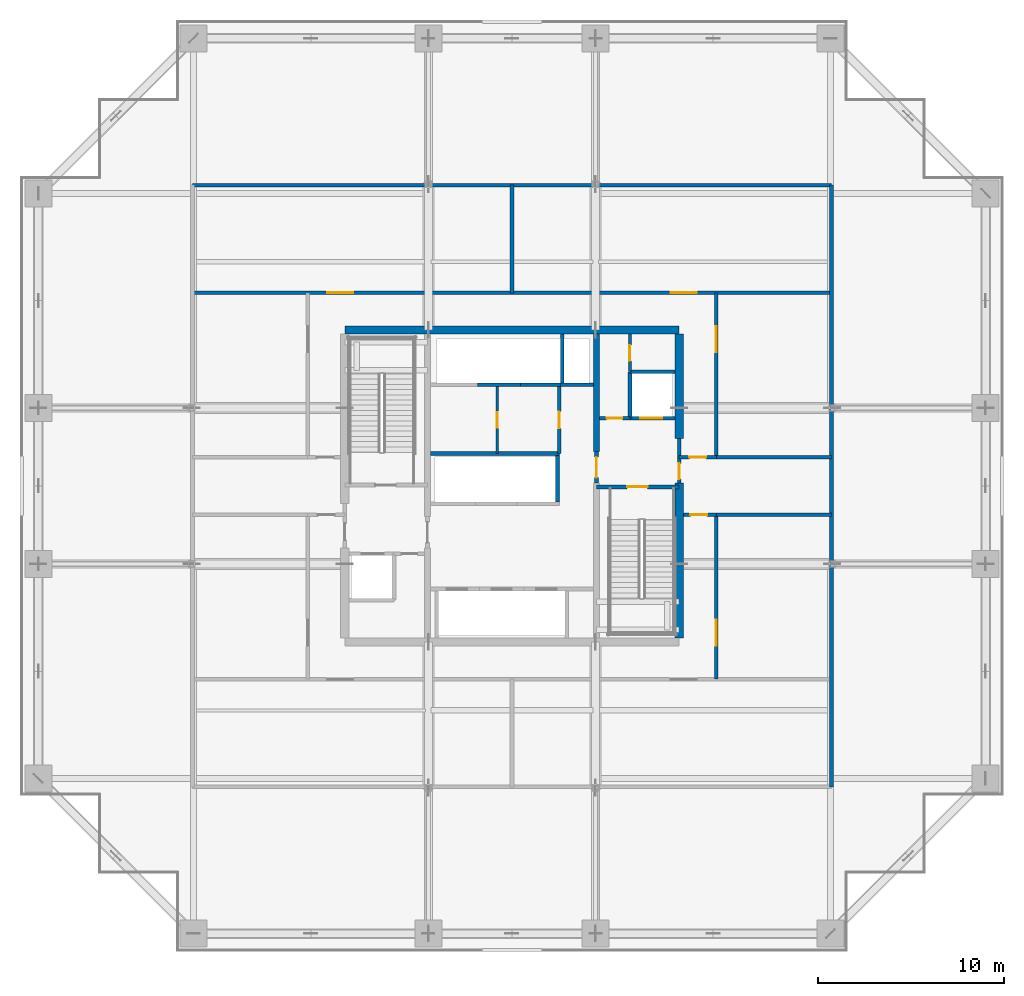
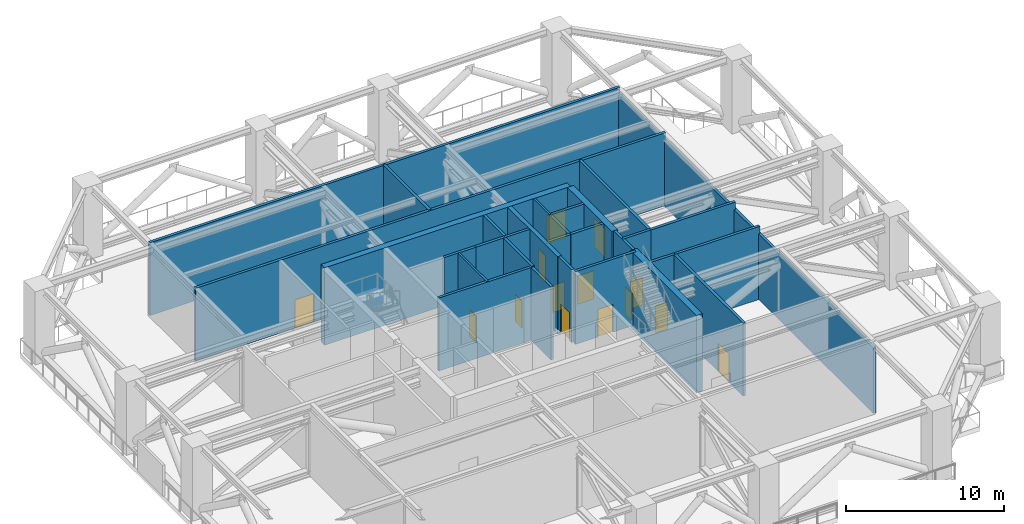
# One storey, part 15 of 21: 30 walls, 14 doors, 14 openings.
"""IFC4 building model written with IfcOpenShell, lengths in metres."""

import ifcopenshell
import ifcopenshell.guid

model = None  # the IFC model being written
_history = None  # IfcOwnerHistory: only IFC2X3 demands one
_inside = {}  # id of a spatial element -> (the spatial element, [elements in it])
_under = {}  # id of a project, library or spatial element -> (it, [spatial elements below it])
_declared = {}  # id of a project -> (the project, [libraries it declares])
_typed = {}  # id of a type object -> (the type object, [elements of that type])
_made_of = {}  # id of a material, layer set ... -> (it, [elements and type objects made of it])


def new_model(schema):
    """Start an empty IFC model of exactly this schema.

    Asked for "IFC4X3", IfcOpenShell would pick the latest addendum, in which some entities
    have other attributes; the version numbers below select the first issue.
    IFC2X3 requires an IfcOwnerHistory on every rooted entity: one is made here for all.
    """
    global model, _history
    if schema == "IFC4X3":
        model = ifcopenshell.file(schema_version=(4, 3, 0, 0))
    else:
        model = ifcopenshell.file(schema=schema)
    _inside.clear()
    _under.clear()
    _declared.clear()
    _typed.clear()
    _made_of.clear()
    _history = None
    if model.schema == "IFC2X3":
        org = make("IfcOrganization", Name="unknown")
        user = make(
            "IfcPersonAndOrganization",
            ThePerson=make("IfcPerson", FamilyName="unknown"),
            TheOrganization=org,
        )
        app = make(
            "IfcApplication",
            ApplicationDeveloper=org,
            Version="unknown",
            ApplicationFullName="unknown",
            ApplicationIdentifier="unknown",
        )
        _history = make(
            "IfcOwnerHistory",
            OwningUser=user,
            OwningApplication=app,
            ChangeAction="ADDED",
            CreationDate=0,
        )
    return model


def make(cls, **values):
    """One entity of the class cls with the attributes given. An attribute that is None is left unset."""
    return model.create_entity(
        cls, **{name: value for name, value in values.items() if value is not None}
    )


def rooted(cls, **values):
    """An entity with a GlobalId (a new one), such as an element, a storey or a relation."""
    return make(cls, GlobalId=ifcopenshell.guid.new(), OwnerHistory=_history, **values)


def si_unit(unit_type, name, prefix=None):
    """IfcSIUnit, for example si_unit("LENGTHUNIT", "METRE", prefix="MILLI")."""
    return make("IfcSIUnit", UnitType=unit_type, Prefix=prefix, Name=name)


def assignment(units):
    """IfcUnitAssignment: the units of a project."""
    return None if units is None else make("IfcUnitAssignment", Units=units)


def point(xyz):
    """IfcCartesianPoint."""
    return None if xyz is None else make("IfcCartesianPoint", Coordinates=xyz)


def direction(xyz):
    """IfcDirection."""
    return None if xyz is None else make("IfcDirection", DirectionRatios=xyz)


def frame(location, z_axis=None, x_axis=None):
    """IfcAxis2Placement3D, a coordinate frame: its origin and axes. An axis left out is left unset."""
    return make(
        "IfcAxis2Placement3D",
        Location=point(location),
        Axis=direction(z_axis),
        RefDirection=direction(x_axis),
    )


def frame_2d(location, x_axis=None):
    """IfcAxis2Placement2D, a coordinate frame in the plane: its origin and x axis."""
    return make(
        "IfcAxis2Placement2D", Location=point(location), RefDirection=direction(x_axis)
    )


def origin():
    """The frame at (0, 0, 0) with its axes left unset."""
    return frame((0.0, 0.0, 0.0))


def place(relative_to, where):
    """IfcLocalPlacement: puts the frame where relative to a parent placement (None: the world)."""
    return make(
        "IfcLocalPlacement", PlacementRelTo=relative_to, RelativePlacement=where
    )


def context(
    kind, dimensions, precision=None, world=None, true_north=None, identifier=None
):
    """IfcGeometricRepresentationContext, for example the 3D "Model" context."""
    return make(
        "IfcGeometricRepresentationContext",
        ContextIdentifier=identifier,
        ContextType=kind,
        CoordinateSpaceDimension=dimensions,
        Precision=precision,
        WorldCoordinateSystem=world,
        TrueNorth=true_north,
    )


def subcontext(parent, identifier, kind, view, scale=None):
    """IfcGeometricRepresentationSubContext, for example "Body" below "Model"."""
    return make(
        "IfcGeometricRepresentationSubContext",
        ContextIdentifier=identifier,
        ContextType=kind,
        ParentContext=parent,
        TargetScale=scale,
        TargetView=view,
    )


def project(units=None, contexts=None):
    """IfcProject with its units and contexts."""
    return rooted(
        "IfcProject",
        Name="project",
        RepresentationContexts=contexts,
        UnitsInContext=assignment(units),
    )


def spatial(cls, under=None, at=None, **own):
    """A site, building, storey or space (cls), placed at a placement, below another one or the project."""
    s = rooted(cls, ObjectPlacement=at, **own)
    if under is not None:
        _under.setdefault(under.id(), (under, []))[1].append(s)
    return s


def profile(cls, at=None, kind="AREA", **sizes):
    """A parametric profile (cls). Its sizes go by their IFC names, for example OverallWidth=200.0."""
    return make(cls, ProfileType=kind, Position=at, **sizes)


def rectangle(**sizes):
    """IfcRectangleProfileDef."""
    return profile("IfcRectangleProfileDef", **sizes)


def extrude(swept, where, along, depth):
    """IfcExtrudedAreaSolid: the profile swept, set in the frame where, extruded along a direction by depth."""
    return make(
        "IfcExtrudedAreaSolid",
        SweptArea=swept,
        Position=where,
        ExtrudedDirection=direction(along),
        Depth=depth,
    )


def shape(context_of_items, identifier, shape_type, items):
    """IfcShapeRepresentation: the items that make up one representation, for example the "Body"."""
    return make(
        "IfcShapeRepresentation",
        ContextOfItems=context_of_items,
        RepresentationIdentifier=identifier,
        RepresentationType=shape_type,
        Items=items,
    )


def source(mapping_origin, context_of_items, identifier, shape_type, items):
    """IfcRepresentationMap: a shape defined once, which mapped items show again and again."""
    return make(
        "IfcRepresentationMap",
        MappingOrigin=mapping_origin,
        MappedRepresentation=shape(context_of_items, identifier, shape_type, items),
    )


def transform(
    local_origin,
    x_axis=None,
    y_axis=None,
    z_axis=None,
    scale=None,
    scale2=None,
    scale3=None,
    uniform=True,
):
    """IfcCartesianTransformationOperator3D, or its non-uniform kind. x_axis, y_axis, z_axis: its Axis1, 2, 3."""
    if uniform:
        return make(
            "IfcCartesianTransformationOperator3D",
            Axis1=direction(x_axis),
            Axis2=direction(y_axis),
            LocalOrigin=point(local_origin),
            Scale=scale,
            Axis3=direction(z_axis),
        )
    return make(
        "IfcCartesianTransformationOperator3DnonUniform",
        Axis1=direction(x_axis),
        Axis2=direction(y_axis),
        LocalOrigin=point(local_origin),
        Scale=scale,
        Axis3=direction(z_axis),
        Scale2=scale2,
        Scale3=scale3,
    )


def mapped(mapping_source, mapping_target):
    """IfcMappedItem: shows the shape of a source again, moved by a transform."""
    return make(
        "IfcMappedItem", MappingSource=mapping_source, MappingTarget=mapping_target
    )


def material(Name=None, Category=None):
    """IfcMaterial."""
    return make("IfcMaterial", Name=Name, Category=Category)


def layer(
    of_material, thickness, ventilated=None, Name=None, Category=None, Priority=None
):
    """IfcMaterialLayer: one layer of a wall or slab, of a material (None: an air gap)."""
    return make(
        "IfcMaterialLayer",
        Material=of_material,
        LayerThickness=thickness,
        IsVentilated=ventilated,
        Name=Name,
        Category=Category,
        Priority=Priority,
    )


def layer_set(layers, Name=None):
    """IfcMaterialLayerSet."""
    return make("IfcMaterialLayerSet", MaterialLayers=layers, LayerSetName=Name)


def made_of(thing, what):
    """Note that an element or type object is made of a material, layer set ...; save() writes the relation."""
    if what is not None:
        _made_of.setdefault(what.id(), (what, []))[1].append(thing)
    return thing


def type_object(cls, material=None, **own):
    """A type object (cls), such as IfcWallType, which elements share."""
    return made_of(rooted(cls, **own), material)


def element(
    cls,
    number,
    at=None,
    inside=None,
    cuts=None,
    type_object=None,
    material=None,
    context=None,
    identifier="Body",
    shape_type=None,
    held_by="IfcProductDefinitionShape",
    body=None,
    shapes=None,
    **own,
):
    """One element of the class cls, such as IfcWall. Its Tag is "e" and its number.

    at: its placement. inside: the storey or other place that contains it. cuts: it is an
    opening in that element (IfcRelVoidsElement). A single representation is given by context,
    identifier, shape_type and body (its items); several are given by shapes. held_by: the class
    of the entity that holds the representations. save() writes the other relations.
    """
    e = rooted(cls, Tag="e%d" % number, ObjectPlacement=at, **own)
    if body is not None:
        shapes = [shape(context, identifier, shape_type, body)]
    if shapes is not None:
        e.Representation = make(held_by, Representations=shapes)
    if inside is not None:
        _inside.setdefault(inside.id(), (inside, []))[1].append(e)
    if cuts is not None:
        rooted(
            "IfcRelVoidsElement", RelatingBuildingElement=cuts, RelatedOpeningElement=e
        )
    if type_object is not None:
        _typed.setdefault(type_object.id(), (type_object, []))[1].append(e)
    return made_of(e, material)


def fill(opening, filler):
    """IfcRelFillsElement: the door or window that sits in an opening."""
    return rooted(
        "IfcRelFillsElement",
        RelatingOpeningElement=opening,
        RelatedBuildingElement=filler,
    )


def aggregate(whole, parts):
    """IfcRelAggregates: a whole, such as a stair, and the parts it consists of."""
    return rooted("IfcRelAggregates", RelatingObject=whole, RelatedObjects=parts)


def save(model, path):
    """Write the relations noted so far, then the file.

    IfcRelAggregates (storeys below a building ...), IfcRelContainedInSpatialStructure (elements
    in a storey), IfcRelDefinesByType, IfcRelAssociatesMaterial and IfcRelDeclares: one each for
    every whole, place, type object, material and project.
    """
    for whole, parts in _under.values():
        aggregate(whole, parts)
    for where, things in _inside.values():
        rooted(
            "IfcRelContainedInSpatialStructure",
            RelatedElements=things,
            RelatingStructure=where,
        )
    for kind, things in _typed.values():
        rooted("IfcRelDefinesByType", RelatedObjects=things, RelatingType=kind)
    for what, things in _made_of.values():
        rooted("IfcRelAssociatesMaterial", RelatedObjects=things, RelatingMaterial=what)
    for by, libraries in _declared.values():
        rooted("IfcRelDeclares", RelatingContext=by, RelatedDefinitions=libraries)
    model.write(path)


model = new_model("IFC4")

# Units and contexts
model_context = context("Model", 3, precision=1e-05, world=origin(), true_north=direction((0.0, 1.0)))
body_context = subcontext(model_context, "Body", "Model", "MODEL_VIEW")
ifc_project = project(units=[si_unit("LENGTHUNIT", "METRE"), si_unit("AREAUNIT", "SQUARE_METRE"), si_unit("VOLUMEUNIT", "CUBIC_METRE"), si_unit("PLANEANGLEUNIT", "RADIAN"), si_unit("MASSUNIT", "GRAM", prefix="KILO")], contexts=[model_context])

# Site, building, storey
site_placement = place(None, origin())
site = spatial("IfcSite", under=ifc_project, at=site_placement, CompositionType="ELEMENT")
building_placement = place(site_placement, origin())
building = spatial("IfcBuilding", under=site, at=building_placement, Name="Serunith Strait Residences", CompositionType="ELEMENT")
storey_placement = place(building_placement, frame((0.0, 0.0, 109.199951171875)))
storey = spatial("IfcBuildingStorey", under=building, at=storey_placement, Name="L27", CompositionType="ELEMENT", Elevation=109.199951171875)

# Wall, opening, door
ifc_material_1 = material(Name="Fire-rated masonry service closet wall", Category="masonry")
ifc_layer_1 = layer(ifc_material_1, 0.14990234375, Name="Fire-rated masonry service closet wall")
ifc_layer_set_1 = layer_set([ifc_layer_1], Name="Fire-rated masonry service closet wall")
wall_type_1 = type_object("IfcWallType", Name="IW-BOH-150", PredefinedType="PARTITIONING", material=ifc_layer_set_1)
wall_1_placement = place(storey_placement, frame((38.75, 31.35205078125, 0.0), z_axis=(0.0, 0.0, 1.0), x_axis=(0.0, 1.0, 0.0)))
wall_1 = element("IfcWall", 1, at=wall_1_placement, inside=storey, type_object=wall_type_1, Name="L27 Partition Wall 012", PredefinedType="PARTITIONING", context=body_context, shape_type="SweptSolid", body=[
    extrude(rectangle(XDim=2.02294921875, YDim=0.14990234375, at=frame_2d((1.011474609375, 0.0))), origin(), (0.0, 0.0, 1.0), 5.64013671875),
])
opening_1_placement = place(wall_1_placement, frame((0.5859375, 0.0, 0.0)))
opening_1 = element("IfcOpeningElement", 2, at=opening_1_placement, cuts=wall_1, Name="Opening FD-850", PredefinedType="OPENING", context=body_context, shape_type="SweptSolid", body=[
    extrude(rectangle(XDim=0.85009765625, YDim=2.10009765625, at=frame_2d((0.425048828125, 1.050048828125))), frame((0.0, 0.0849609375, 0.0), z_axis=(0.0, -1.0, 0.0), x_axis=(1.0, 0.0, 0.0)), (0.0, 0.0, 1.0), 0.169921875),
])
ifc_material_2 = material(Name="Powder-coated steel service closet door", Category="steel")
door_type_1 = type_object("IfcDoorType", Name="FD-BOH-850", OperationType="NOTDEFINED", PredefinedType="DOOR", material=ifc_material_2)
shared_shape_1 = source(origin(), body_context, "Body", "SweptSolid", [
    extrude(rectangle(XDim=0.85009765625, YDim=2.10009765625, at=frame_2d((0.425048828125, 1.050048828125))), frame((0.0, 0.02490234375, 0.0), z_axis=(0.0, -1.0, 0.0), x_axis=(1.0, 0.0, 0.0)), (0.0, 0.0, 1.0), 0.050048828125),
])
door_1_placement = place(opening_1_placement, origin())
door_1 = element("IfcDoor", 3, at=door_1_placement, inside=storey, type_object=door_type_1, Name="L27 ELV Data Closet Door", OperationType="SINGLE_SWING_LEFT", OverallHeight=2.10009765625, OverallWidth=0.85009765625, PredefinedType="DOOR", context=body_context, shape_type="MappedRepresentation", body=[
    mapped(shared_shape_1, transform((0.0, 0.0, 0.0), scale=1.0)),
])
fill(opening_1, door_1)

wall_2_placement = place(storey_placement, frame((31.60009765625, 26.949951171875, 0.0), z_axis=(0.0, 0.0, 1.0), x_axis=(0.0, 1.0, 0.0)))
wall_2 = element("IfcWall", 4, at=wall_2_placement, inside=storey, type_object=wall_type_1, Name="L27 Partition Wall 014", PredefinedType="PARTITIONING", context=body_context, shape_type="SweptSolid", body=[
    extrude(rectangle(XDim=3.60009765625, YDim=0.14990234375, at=frame_2d((1.800048828125, 0.0))), origin(), (0.0, 0.0, 1.0), 5.64013671875),
])
opening_2_placement = place(wall_2_placement, frame((1.375, 0.0, 0.0)))
opening_2 = element("IfcOpeningElement", 5, at=opening_2_placement, cuts=wall_2, Name="Opening FD-850", PredefinedType="OPENING", context=body_context, shape_type="SweptSolid", body=[
    extrude(rectangle(XDim=0.85009765625, YDim=2.10009765625, at=frame_2d((0.425048828125, 1.050048828125))), frame((0.0, 0.0849609375, 0.0), z_axis=(0.0, -1.0, 0.0), x_axis=(1.0, 0.0, 0.0)), (0.0, 0.0, 1.0), 0.169921875),
])
door_2_placement = place(opening_2_placement, origin())
door_2 = element("IfcDoor", 6, at=door_2_placement, inside=storey, type_object=door_type_1, Name="L27 Zone Telecoms Door", OperationType="SINGLE_SWING_LEFT", OverallHeight=2.10009765625, OverallWidth=0.85009765625, PredefinedType="DOOR", context=body_context, shape_type="MappedRepresentation", body=[
    mapped(shared_shape_1, transform((0.0, 0.0, 0.0), scale=1.0)),
])
fill(opening_2, door_2)

# Walls
ifc_material_3 = material(Name="Acoustic concrete block plant wall", Category="concrete")
ifc_layer_2 = layer(ifc_material_3, 0.199951171875, Name="Acoustic concrete block plant wall")
ifc_layer_set_2 = layer_set([ifc_layer_2], Name="Acoustic concrete block plant wall")
wall_type_2 = type_object("IfcWallType", Name="IW-PLANT-200", PredefinedType="STANDARD", material=ifc_layer_set_2)
wall_3_placement = place(storey_placement, frame((15.199951171875, 41.39990234375, 0.0), z_axis=(0.0, 0.0, 1.0), x_axis=(1.0, 0.0, 0.0)))
element("IfcWall", 7, at=wall_3_placement, inside=storey, type_object=wall_type_2, Name="L27 Partition Wall 016", PredefinedType="STANDARD", context=body_context, shape_type="SweptSolid", body=[
    extrude(rectangle(XDim=34.400146484375, YDim=0.199951171875, at=frame_2d((17.2001953125, 0.0))), origin(), (0.0, 0.0, 1.0), 5.64013671875),
])
wall_4_placement = place(storey_placement, frame((49.60009765625, 9.0, 0.0), z_axis=(0.0, 0.0, 1.0), x_axis=(0.0, 1.0, 0.0)))
element("IfcWall", 8, at=wall_4_placement, inside=storey, type_object=wall_type_2, Name="L27 Partition Wall 018", PredefinedType="STANDARD", context=body_context, shape_type="SweptSolid", body=[
    extrude(rectangle(XDim=32.39990234375, YDim=0.199951171875, at=frame_2d((16.199951171875, 0.0))), origin(), (0.0, 0.0, 1.0), 5.072021484375),
])

# Wall, opening, door
wall_5_placement = place(storey_placement, frame((41.625, 23.64990234375, 0.0), z_axis=(0.0, 0.0, 1.0), x_axis=(1.0, 0.0, 0.0)))
wall_5 = element("IfcWall", 9, at=wall_5_placement, inside=storey, type_object=wall_type_2, Name="L27 Partition Wall 023", PredefinedType="STANDARD", context=body_context, shape_type="SweptSolid", body=[
    extrude(rectangle(XDim=1.77490234375, YDim=0.199951171875, at=frame_2d((0.887451171875, 0.0))), origin(), (0.0, 0.0, 1.0), 5.64013671875),
])
opening_3_placement = place(wall_5_placement, frame((0.382080078125, 0.0, 0.0)))
opening_3 = element("IfcOpeningElement", 10, at=opening_3_placement, cuts=wall_5, Name="Opening FD-900", PredefinedType="OPENING", context=body_context, shape_type="SweptSolid", body=[
    extrude(rectangle(XDim=0.89990234375, YDim=2.10009765625, at=frame_2d((0.449951171875, 1.050048828125))), frame((0.0, 0.10986328125, 0.0), z_axis=(0.0, -1.0, 0.0), x_axis=(1.0, 0.0, 0.0)), (0.0, 0.0, 1.0), 0.219970703125),
])
ifc_material_4 = material(Name="Powder-coated steel riser door", Category="steel")
door_type_2 = type_object("IfcDoorType", Name="FD-BOH-900", OperationType="NOTDEFINED", PredefinedType="DOOR", material=ifc_material_4)
shared_shape_2 = source(origin(), body_context, "Body", "SweptSolid", [
    extrude(rectangle(XDim=0.89990234375, YDim=2.10009765625, at=frame_2d((0.449951171875, 1.050048828125))), frame((0.0, 0.02490234375, 0.0), z_axis=(0.0, -1.0, 0.0), x_axis=(1.0, 0.0, 0.0)), (0.0, 0.0, 1.0), 0.050048828125),
])
door_3_placement = place(opening_3_placement, origin())
door_3 = element("IfcDoor", 11, at=door_3_placement, inside=storey, type_object=door_type_2, Name="L27 South-East Plant Corridor Door", OperationType="SINGLE_SWING_RIGHT", OverallHeight=2.10009765625, OverallWidth=0.89990234375, PredefinedType="DOOR", context=body_context, shape_type="MappedRepresentation", body=[
    mapped(shared_shape_2, transform((0.0, 0.0, 0.0), scale=1.0)),
])
fill(opening_3, door_3)

# Wall
wall_6_placement = place(storey_placement, frame((43.402099609375, 23.64990234375, 0.0), z_axis=(0.0, 0.0, 1.0), x_axis=(1.0, 0.0, 0.0)))
element("IfcWall", 12, at=wall_6_placement, inside=storey, type_object=wall_type_2, Name="L27 Partition Wall 024", PredefinedType="STANDARD", context=body_context, shape_type="SweptSolid", body=[
    extrude(rectangle(XDim=6.197998046875, YDim=0.199951171875, at=frame_2d((3.09912109375, 0.0))), origin(), (0.0, 0.0, 1.0), 5.64013671875),
])

# Wall, opening, door
wall_7_placement = place(storey_placement, frame((41.39990234375, 26.75, 0.0), z_axis=(0.0, 0.0, 1.0), x_axis=(1.0, 0.0, 0.0)))
wall_7 = element("IfcWall", 13, at=wall_7_placement, inside=storey, type_object=wall_type_2, Name="L27 Partition Wall 025", PredefinedType="STANDARD", context=body_context, shape_type="SweptSolid", body=[
    extrude(rectangle(XDim=2.0, YDim=0.199951171875, at=frame_2d((1.0, 0.0))), origin(), (0.0, 0.0, 1.0), 5.64013671875),
])
opening_4_placement = place(wall_7_placement, frame((0.550048828125, 0.0, 0.0)))
opening_4 = element("IfcOpeningElement", 14, at=opening_4_placement, cuts=wall_7, Name="Opening FD-900", PredefinedType="OPENING", context=body_context, shape_type="SweptSolid", body=[
    extrude(rectangle(XDim=0.89990234375, YDim=2.10009765625, at=frame_2d((0.449951171875, 1.050048828125))), frame((0.0, 0.10986328125, 0.0), z_axis=(0.0, -1.0, 0.0), x_axis=(1.0, 0.0, 0.0)), (0.0, 0.0, 1.0), 0.219970703125),
])
door_4_placement = place(opening_4_placement, origin())
door_4 = element("IfcDoor", 15, at=door_4_placement, inside=storey, type_object=door_type_2, Name="L27 North-East Plant Corridor Door", OperationType="SINGLE_SWING_LEFT", OverallHeight=2.10009765625, OverallWidth=0.89990234375, PredefinedType="DOOR", context=body_context, shape_type="MappedRepresentation", body=[
    mapped(shared_shape_2, transform((0.0, 0.0, 0.0), scale=1.0)),
])
fill(opening_4, door_4)

# Wall
wall_8_placement = place(storey_placement, frame((43.402099609375, 26.75, 0.0), z_axis=(0.0, 0.0, 1.0), x_axis=(1.0, 0.0, 0.0)))
element("IfcWall", 16, at=wall_8_placement, inside=storey, type_object=wall_type_2, Name="L27 Partition Wall 026", PredefinedType="STANDARD", context=body_context, shape_type="SweptSolid", body=[
    extrude(rectangle(XDim=6.197998046875, YDim=0.199951171875, at=frame_2d((3.09912109375, 0.0))), origin(), (0.0, 0.0, 1.0), 5.64013671875),
])

# Wall, openings, doors
wall_9_placement = place(storey_placement, frame((15.199951171875, 35.60009765625, 0.0), z_axis=(0.0, 0.0, 1.0), x_axis=(1.0, 0.0, 0.0)))
wall_9 = element("IfcWall", 17, at=wall_9_placement, inside=storey, type_object=wall_type_2, Name="L27 Partition Wall 028", PredefinedType="STANDARD", context=body_context, shape_type="SweptSolid", body=[
    extrude(rectangle(XDim=34.400146484375, YDim=0.199951171875, at=frame_2d((17.2001953125, 0.0))), origin(), (0.0, 0.0, 1.0), 5.64013671875),
])
opening_5_placement = place(wall_9_placement, frame((7.260009765625, 0.0, 0.0)))
opening_5 = element("IfcOpeningElement", 18, at=opening_5_placement, cuts=wall_9, Name="Opening FD-1400", PredefinedType="OPENING", context=body_context, shape_type="SweptSolid", body=[
    extrude(rectangle(XDim=1.39990234375, YDim=2.199951171875, at=frame_2d((0.699951171875, 1.10009765625))), frame((0.0, 0.10986328125, 0.0), z_axis=(0.0, -1.0, 0.0), x_axis=(1.0, 0.0, 0.0)), (0.0, 0.0, 1.0), 0.219970703125),
])
opening_6_placement = place(wall_9_placement, frame((25.739990234375, 0.0, 0.0)))
opening_6 = element("IfcOpeningElement", 19, at=opening_6_placement, cuts=wall_9, Name="Opening FD-1400", PredefinedType="OPENING", context=body_context, shape_type="SweptSolid", body=[
    extrude(rectangle(XDim=1.39990234375, YDim=2.199951171875, at=frame_2d((0.699951171875, 1.10009765625))), frame((0.0, 0.10986328125, 0.0), z_axis=(0.0, -1.0, 0.0), x_axis=(1.0, 0.0, 0.0)), (0.0, 0.0, 1.0), 0.219970703125),
])
ifc_material_5 = material(Name="Acoustic double-skin steel plant door", Category="steel")
door_type_3 = type_object("IfcDoorType", Name="FD-PLANT-1400", OperationType="DOUBLE_DOOR_SINGLE_SWING", PredefinedType="DOOR", material=ifc_material_5)
shared_shape_3 = source(origin(), body_context, "Body", "SweptSolid", [
    extrude(rectangle(XDim=1.39990234375, YDim=2.199951171875, at=frame_2d((0.699951171875, 1.10009765625))), frame((0.0, 0.02490234375, 0.0), z_axis=(0.0, -1.0, 0.0), x_axis=(1.0, 0.0, 0.0)), (0.0, 0.0, 1.0), 0.050048828125),
])
door_5_placement = place(opening_5_placement, origin())
door_5 = element("IfcDoor", 20, at=door_5_placement, inside=storey, type_object=door_type_3, Name="L27 Booster Pump Plant Door", OperationType="DOUBLE_DOOR_SINGLE_SWING", OverallHeight=2.199951171875, OverallWidth=1.39990234375, PredefinedType="DOOR", context=body_context, shape_type="MappedRepresentation", body=[
    mapped(shared_shape_3, transform((0.0, 0.0, 0.0), scale=1.0)),
])
fill(opening_5, door_5)
door_6_placement = place(opening_6_placement, origin())
door_6 = element("IfcDoor", 21, at=door_6_placement, inside=storey, type_object=door_type_3, Name="L27 Switchgear Plant Door", OperationType="DOUBLE_DOOR_SINGLE_SWING", OverallHeight=2.199951171875, OverallWidth=1.39990234375, PredefinedType="DOOR", context=body_context, shape_type="MappedRepresentation", body=[
    mapped(shared_shape_3, transform((0.0, 0.0, 0.0), scale=1.0)),
])
fill(opening_6, door_6)

# Wall
wall_10_placement = place(storey_placement, frame((32.39990234375, 35.60009765625, 0.0), z_axis=(0.0, 0.0, 1.0), x_axis=(0.0, 1.0, 0.0)))
element("IfcWall", 22, at=wall_10_placement, inside=storey, type_object=wall_type_2, Name="L27 Partition Wall 030", PredefinedType="STANDARD", context=body_context, shape_type="SweptSolid", body=[
    extrude(rectangle(XDim=5.7998046875, YDim=0.199951171875, at=frame_2d((2.89990234375, 0.0))), origin(), (0.0, 0.0, 1.0), 5.64013671875),
])

# Wall, opening, door
wall_11_placement = place(storey_placement, frame((43.39990234375, 14.800048828125, 0.0), z_axis=(0.0, 0.0, 1.0), x_axis=(0.0, 1.0, 0.0)))
wall_11 = element("IfcWall", 23, at=wall_11_placement, inside=storey, type_object=wall_type_2, Name="L27 Partition Wall 033", PredefinedType="STANDARD", context=body_context, shape_type="SweptSolid", body=[
    extrude(rectangle(XDim=8.849853515625, YDim=0.199951171875, at=frame_2d((4.4248046875, 0.0))), origin(), (0.0, 0.0, 1.0), 5.64013671875),
])
opening_7_placement = place(wall_11_placement, frame((1.7880859375, 0.0, 0.0)))
opening_7 = element("IfcOpeningElement", 24, at=opening_7_placement, cuts=wall_11, Name="Opening FD-1400", PredefinedType="OPENING", context=body_context, shape_type="SweptSolid", body=[
    extrude(rectangle(XDim=1.39990234375, YDim=2.199951171875, at=frame_2d((0.699951171875, 1.10009765625))), frame((0.0, 0.10986328125, 0.0), z_axis=(0.0, -1.0, 0.0), x_axis=(1.0, 0.0, 0.0)), (0.0, 0.0, 1.0), 0.219970703125),
])
door_7_placement = place(opening_7_placement, origin())
door_7 = element("IfcDoor", 25, at=door_7_placement, inside=storey, type_object=door_type_3, Name="L27 South-East Fan Plant Door", OperationType="DOUBLE_DOOR_SINGLE_SWING", OverallHeight=2.199951171875, OverallWidth=1.39990234375, PredefinedType="DOOR", context=body_context, shape_type="MappedRepresentation", body=[
    mapped(shared_shape_3, transform((0.0, 0.0, 0.0), scale=1.0)),
])
fill(opening_7, door_7)

wall_12_placement = place(storey_placement, frame((43.39990234375, 26.75, 0.0), z_axis=(0.0, 0.0, 1.0), x_axis=(0.0, 1.0, 0.0)))
wall_12 = element("IfcWall", 26, at=wall_12_placement, inside=storey, type_object=wall_type_2, Name="L27 Partition Wall 034", PredefinedType="STANDARD", context=body_context, shape_type="SweptSolid", body=[
    extrude(rectangle(XDim=8.85009765625, YDim=0.199951171875, at=frame_2d((4.425048828125, 0.0))), origin(), (0.0, 0.0, 1.0), 5.64013671875),
])
opening_8_placement = place(wall_12_placement, frame((5.662109375, 0.0, 0.0)))
opening_8 = element("IfcOpeningElement", 27, at=opening_8_placement, cuts=wall_12, Name="Opening FD-1400", PredefinedType="OPENING", context=body_context, shape_type="SweptSolid", body=[
    extrude(rectangle(XDim=1.39990234375, YDim=2.199951171875, at=frame_2d((0.699951171875, 1.10009765625))), frame((0.0, 0.10986328125, 0.0), z_axis=(0.0, -1.0, 0.0), x_axis=(1.0, 0.0, 0.0)), (0.0, 0.0, 1.0), 0.219970703125),
])
door_8_placement = place(opening_8_placement, origin())
door_8 = element("IfcDoor", 28, at=door_8_placement, inside=storey, type_object=door_type_3, Name="L27 North-East Fan Plant Door", OperationType="DOUBLE_DOOR_SINGLE_SWING", OverallHeight=2.199951171875, OverallWidth=1.39990234375, PredefinedType="DOOR", context=body_context, shape_type="MappedRepresentation", body=[
    mapped(shared_shape_3, transform((0.0, 0.0, 0.0), scale=1.0)),
])
fill(opening_8, door_8)

ifc_material_6 = material(Name="Autoclaved aerated concrete blockwork", Category="masonry")
ifc_layer_3 = layer(ifc_material_6, 0.199951171875, Name="Autoclaved aerated concrete blockwork")
ifc_layer_set_3 = layer_set([ifc_layer_3], Name="Autoclaved aerated concrete blockwork")
wall_type_3 = type_object("IfcWallType", Name="IW-SHAFT-200", PredefinedType="STANDARD", material=ifc_layer_set_3)
wall_13_placement = place(storey_placement, frame((36.949951171875, 25.14990234375, 0.0), z_axis=(0.0, 0.0, 1.0), x_axis=(1.0, 0.0, 0.0)))
wall_13 = element("IfcWall", 29, at=wall_13_placement, inside=storey, type_object=wall_type_3, Name="L27 ST-2 North Shaft Wall", PredefinedType="STANDARD", context=body_context, shape_type="SweptSolid", body=[
    extrude(rectangle(XDim=4.449951171875, YDim=0.199951171875, at=frame_2d((2.22509765625, 0.0))), origin(), (0.0, 0.0, 1.0), 5.64013671875),
])
opening_9_placement = place(wall_13_placement, frame((1.64990234375, 0.0, 0.0)))
opening_9 = element("IfcOpeningElement", 30, at=opening_9_placement, cuts=wall_13, Name="Opening FD-1100", PredefinedType="OPENING", context=body_context, shape_type="SweptSolid", body=[
    extrude(rectangle(XDim=1.10009765625, YDim=2.14990234375, at=frame_2d((0.550048828125, 1.074951171875))), frame((0.0, 0.10986328125, 0.0), z_axis=(0.0, -1.0, 0.0), x_axis=(1.0, 0.0, 0.0)), (0.0, 0.0, 1.0), 0.219970703125),
])
ifc_material_7 = material(Name="Galvanised steel fire door leaf", Category="steel")
door_type_4 = type_object("IfcDoorType", Name="FD-STAIR-1100", OperationType="NOTDEFINED", PredefinedType="DOOR", material=ifc_material_7)
shared_shape_4 = source(origin(), body_context, "Body", "SweptSolid", [
    extrude(rectangle(XDim=1.10009765625, YDim=2.14990234375, at=frame_2d((0.550048828125, 1.074951171875))), frame((0.0, 0.02490234375, 0.0), z_axis=(0.0, -1.0, 0.0), x_axis=(1.0, 0.0, 0.0)), (0.0, 0.0, 1.0), 0.050048828125),
])
door_9_placement = place(opening_9_placement, origin())
door_9 = element("IfcDoor", 31, at=door_9_placement, inside=storey, type_object=door_type_4, Name="L27 ST-2 Escape Stair Door", OperationType="SINGLE_SWING_RIGHT", OverallHeight=2.14990234375, OverallWidth=1.10009765625, PredefinedType="DOOR", context=body_context, shape_type="MappedRepresentation", body=[
    mapped(shared_shape_4, transform((0.0, 0.0, 0.0), scale=1.0)),
])
fill(opening_9, door_9)

wall_14_placement = place(storey_placement, frame((38.75, 28.85009765625, 0.0), z_axis=(0.0, 0.0, 1.0), x_axis=(1.0, 0.0, 0.0)))
wall_14 = element("IfcWall", 32, at=wall_14_placement, inside=storey, type_object=wall_type_3, Name="L27 FL-2 South Shaft Wall", PredefinedType="STANDARD", context=body_context, shape_type="SweptSolid", body=[
    extrude(rectangle(XDim=2.425048828125, YDim=0.199951171875, at=frame_2d((1.21240234375, 0.0))), origin(), (0.0, 0.0, 1.0), 5.64013671875),
])
opening_10_placement = place(wall_14_placement, frame((0.550048828125, 0.0, 0.0)))
opening_10 = element("IfcOpeningElement", 33, at=opening_10_placement, cuts=wall_14, Name="Opening LD-FF1200", PredefinedType="OPENING", context=body_context, shape_type="SweptSolid", body=[
    extrude(rectangle(XDim=1.199951171875, YDim=2.199951171875, at=frame_2d((0.60009765625, 1.10009765625))), frame((0.0, 0.10986328125, 0.0), z_axis=(0.0, -1.0, 0.0), x_axis=(1.0, 0.0, 0.0)), (0.0, 0.0, 1.0), 0.219970703125),
])
ifc_material_8 = material(Name="Brushed stainless steel landing door", Category="steel")
door_type_5 = type_object("IfcDoorType", Name="LD-FF-1200", OperationType="DOUBLE_DOOR_SLIDING", PredefinedType="DOOR", material=ifc_material_8)
shared_shape_5 = source(origin(), body_context, "Body", "SweptSolid", [
    extrude(rectangle(XDim=1.199951171875, YDim=2.199951171875, at=frame_2d((0.60009765625, 1.10009765625))), frame((0.0, 0.02490234375, 0.0), z_axis=(0.0, -1.0, 0.0), x_axis=(1.0, 0.0, 0.0)), (0.0, 0.0, 1.0), 0.050048828125),
])
door_10_placement = place(opening_10_placement, origin())
door_10 = element("IfcDoor", 34, at=door_10_placement, inside=storey, type_object=door_type_5, Name="L27 FL-2 Landing Door", OperationType="DOUBLE_DOOR_SLIDING", OverallHeight=2.199951171875, OverallWidth=1.199951171875, PredefinedType="DOOR", context=body_context, shape_type="MappedRepresentation", body=[
    mapped(shared_shape_5, transform((0.0, 0.0, 0.0), scale=1.0)),
])
fill(opening_10, door_10)

# Walls
wall_15_placement = place(storey_placement, frame((34.85009765625, 24.35009765625, 0.0), z_axis=(0.0, 0.0, 1.0), x_axis=(0.0, 1.0, 0.0)))
element("IfcWall", 35, at=wall_15_placement, inside=storey, type_object=wall_type_3, Name="L27 PL-6 East Shaft Wall", PredefinedType="STANDARD", context=body_context, shape_type="SweptSolid", body=[
    extrude(rectangle(XDim=2.5, YDim=0.199951171875, at=frame_2d((1.25, 0.0))), origin(), (0.0, 0.0, 1.0), 5.64013671875),
])
wall_16_placement = place(storey_placement, frame((30.550048828125, 30.64990234375, 0.0), z_axis=(0.0, 0.0, 1.0), x_axis=(1.0, 0.0, 0.0)))
element("IfcWall", 36, at=wall_16_placement, inside=storey, type_object=wall_type_3, Name="L27 PL-8 South Shaft Wall", PredefinedType="STANDARD", context=body_context, shape_type="SweptSolid", body=[
    extrude(rectangle(XDim=2.300048828125, YDim=0.199951171875, at=frame_2d((1.14990234375, 0.0))), origin(), (0.0, 0.0, 1.0), 5.64013671875),
])
wall_17_placement = place(storey_placement, frame((32.85009765625, 30.64990234375, 0.0), z_axis=(0.0, 0.0, 1.0), x_axis=(1.0, 0.0, 0.0)))
element("IfcWall", 37, at=wall_17_placement, inside=storey, type_object=wall_type_3, Name="L27 PL-9 South Shaft Wall", PredefinedType="STANDARD", context=body_context, shape_type="SweptSolid", body=[
    extrude(rectangle(XDim=2.14990234375, YDim=0.199951171875, at=frame_2d((1.074951171875, 0.0))), origin(), (0.0, 0.0, 1.0), 5.64013671875),
])
wall_18_placement = place(storey_placement, frame((35.0, 30.64990234375, 0.0), z_axis=(0.0, 0.0, 1.0), x_axis=(1.0, 0.0, 0.0)))
element("IfcWall", 38, at=wall_18_placement, inside=storey, type_object=wall_type_3, Name="L27 SL-1 South Shaft Wall", PredefinedType="STANDARD", context=body_context, shape_type="SweptSolid", body=[
    extrude(rectangle(XDim=1.800048828125, YDim=0.199951171875, at=frame_2d((0.89990234375, 0.0))), origin(), (0.0, 0.0, 1.0), 5.64013671875),
])
wall_19_placement = place(storey_placement, frame((35.10009765625, 30.75, 0.0), z_axis=(0.0, 0.0, 1.0), x_axis=(0.0, 1.0, 0.0)))
element("IfcWall", 39, at=wall_19_placement, inside=storey, type_object=wall_type_3, Name="L27 SL-1 West Shaft Wall", PredefinedType="STANDARD", context=body_context, shape_type="SweptSolid", body=[
    extrude(rectangle(XDim=2.625, YDim=0.199951171875, at=frame_2d((1.3125, 0.0))), origin(), (0.0, 0.0, 1.0), 5.64013671875),
])
wall_20_placement = place(storey_placement, frame((38.75, 28.85009765625, 0.0), z_axis=(0.0, 0.0, 1.0), x_axis=(0.0, 1.0, 0.0)))
element("IfcWall", 40, at=wall_20_placement, inside=storey, type_object=wall_type_3, Name="L27 Partition Wall 004", PredefinedType="STANDARD", context=body_context, shape_type="SweptSolid", body=[
    extrude(rectangle(XDim=2.5, YDim=0.199951171875, at=frame_2d((1.25, 0.0))), origin(), (0.0, 0.0, 1.0), 5.64013671875),
])
wall_21_placement = place(storey_placement, frame((38.75, 31.35009765625, 0.0), z_axis=(0.0, 0.0, 1.0), x_axis=(1.0, 0.0, 0.0)))
element("IfcWall", 41, at=wall_21_placement, inside=storey, type_object=wall_type_3, Name="L27 Partition Wall 005", PredefinedType="STANDARD", context=body_context, shape_type="SweptSolid", body=[
    extrude(rectangle(XDim=2.425048828125, YDim=0.199951171875, at=frame_2d((1.21240234375, 0.0))), origin(), (0.0, 0.0, 1.0), 5.64013671875),
])

# Wall, opening, door
wall_22_placement = place(storey_placement, frame((37.10009765625, 28.85009765625, 0.0), z_axis=(0.0, 0.0, 1.0), x_axis=(1.0, 0.0, 0.0)))
wall_22 = element("IfcWall", 42, at=wall_22_placement, inside=storey, type_object=wall_type_3, Name="L27 Partition Wall 006", PredefinedType="STANDARD", context=body_context, shape_type="SweptSolid", body=[
    extrude(rectangle(XDim=1.64794921875, YDim=0.199951171875, at=frame_2d((0.823974609375, 0.0))), origin(), (0.0, 0.0, 1.0), 5.64013671875),
])
opening_11_placement = place(wall_22_placement, frame((0.39892578125, 0.0, 0.0)))
opening_11 = element("IfcOpeningElement", 43, at=opening_11_placement, cuts=wall_22, Name="Opening FD-850", PredefinedType="OPENING", context=body_context, shape_type="SweptSolid", body=[
    extrude(rectangle(XDim=0.85009765625, YDim=2.10009765625, at=frame_2d((0.425048828125, 1.050048828125))), frame((0.0, 0.10986328125, 0.0), z_axis=(0.0, -1.0, 0.0), x_axis=(1.0, 0.0, 0.0)), (0.0, 0.0, 1.0), 0.219970703125),
])
door_11_placement = place(opening_11_placement, origin())
door_11 = element("IfcDoor", 44, at=door_11_placement, inside=storey, type_object=door_type_1, Name="L27 North-East Core Service Door", OperationType="SINGLE_SWING_RIGHT", OverallHeight=2.10009765625, OverallWidth=0.85009765625, PredefinedType="DOOR", context=body_context, shape_type="MappedRepresentation", body=[
    mapped(shared_shape_1, transform((0.0, 0.0, 0.0), scale=1.0)),
])
fill(opening_11, door_11)

wall_23_placement = place(storey_placement, frame((41.39990234375, 25.35205078125, 0.0), z_axis=(0.0, 0.0, 1.0), x_axis=(0.0, 1.0, 0.0)))
wall_23 = element("IfcWall", 45, at=wall_23_placement, inside=storey, type_object=wall_type_3, Name="L27 Partition Wall 008", PredefinedType="STANDARD", context=body_context, shape_type="SweptSolid", body=[
    extrude(rectangle(XDim=2.39599609375, YDim=0.199951171875, at=frame_2d((1.197998046875, 0.0))), origin(), (0.0, 0.0, 1.0), 5.64013671875),
])
opening_12_placement = place(wall_23_placement, frame((0.219970703125, 0.0, 0.0)))
opening_12 = element("IfcOpeningElement", 46, at=opening_12_placement, cuts=wall_23, Name="Opening FD-850", PredefinedType="OPENING", context=body_context, shape_type="SweptSolid", body=[
    extrude(rectangle(XDim=0.85009765625, YDim=2.10009765625, at=frame_2d((0.425048828125, 1.050048828125))), frame((0.0, 0.10986328125, 0.0), z_axis=(0.0, -1.0, 0.0), x_axis=(1.0, 0.0, 0.0)), (0.0, 0.0, 1.0), 0.219970703125),
])
door_12_placement = place(opening_12_placement, origin())
door_12 = element("IfcDoor", 47, at=door_12_placement, inside=storey, type_object=door_type_1, Name="L27 FFL-2 Corridor Fire Door", OperationType="SINGLE_SWING_RIGHT", OverallHeight=2.10009765625, OverallWidth=0.85009765625, PredefinedType="DOOR", context=body_context, shape_type="MappedRepresentation", body=[
    mapped(shared_shape_1, transform((0.0, 0.0, 0.0), scale=1.0)),
])
fill(opening_12, door_12)

wall_24_placement = place(storey_placement, frame((36.949951171875, 25.35205078125, 0.0), z_axis=(0.0, 0.0, 1.0), x_axis=(0.0, 1.0, 0.0)))
wall_24 = element("IfcWall", 48, at=wall_24_placement, inside=storey, type_object=wall_type_3, Name="L27 Partition Wall 010", PredefinedType="STANDARD", context=body_context, shape_type="SweptSolid", body=[
    extrude(rectangle(XDim=1.696044921875, YDim=0.199951171875, at=frame_2d((0.84814453125, 0.0))), origin(), (0.0, 0.0, 1.0), 5.64013671875),
])
opening_13_placement = place(wall_24_placement, frame((0.298095703125, 0.0, 0.0)))
opening_13 = element("IfcOpeningElement", 49, at=opening_13_placement, cuts=wall_24, Name="Opening FD-FFL", PredefinedType="OPENING", context=body_context, shape_type="SweptSolid", body=[
    extrude(rectangle(XDim=1.10009765625, YDim=2.14990234375, at=frame_2d((0.550048828125, 1.074951171875))), frame((0.0, 0.10986328125, 0.0), z_axis=(0.0, -1.0, 0.0), x_axis=(1.0, 0.0, 0.0)), (0.0, 0.0, 1.0), 0.219970703125),
])
ifc_material_9 = material(Name="Glazed steel smoke-lobby fire door", Category="steel")
door_type_6 = type_object("IfcDoorType", Name="FD-FFL-1100", OperationType="NOTDEFINED", PredefinedType="DOOR", material=ifc_material_9)
door_13_placement = place(opening_13_placement, origin())
door_13 = element("IfcDoor", 50, at=door_13_placement, inside=storey, type_object=door_type_6, Name="L27 FFL-2 Lift Lobby Door", OperationType="SINGLE_SWING_RIGHT", OverallHeight=2.14990234375, OverallWidth=1.10009765625, PredefinedType="DOOR", context=body_context, shape_type="MappedRepresentation", body=[
    mapped(shared_shape_4, transform((0.0, 0.0, 0.0), scale=1.0)),
])
fill(opening_13, door_13)

# Wall
wall_25_placement = place(storey_placement, frame((28.0, 26.949951171875, 0.0), z_axis=(0.0, 0.0, 1.0), x_axis=(1.0, 0.0, 0.0)))
element("IfcWall", 51, at=wall_25_placement, inside=storey, type_object=wall_type_3, Name="L27 Partition Wall 011", PredefinedType="STANDARD", context=body_context, shape_type="SweptSolid", body=[
    extrude(rectangle(XDim=6.949951171875, YDim=0.199951171875, at=frame_2d((3.47509765625, 0.0))), origin(), (0.0, 0.0, 1.0), 5.64013671875),
])

# Wall, opening, door
wall_26_placement = place(storey_placement, frame((34.949951171875, 26.949951171875, 0.0), z_axis=(0.0, 0.0, 1.0), x_axis=(0.0, 1.0, 0.0)))
wall_26 = element("IfcWall", 52, at=wall_26_placement, inside=storey, type_object=wall_type_3, Name="L27 Partition Wall 013", PredefinedType="STANDARD", context=body_context, shape_type="SweptSolid", body=[
    extrude(rectangle(XDim=3.60009765625, YDim=0.199951171875, at=frame_2d((1.800048828125, 0.0))), origin(), (0.0, 0.0, 1.0), 5.64013671875),
])
opening_14_placement = place(wall_26_placement, frame((1.35009765625, 0.0, 0.0)))
opening_14 = element("IfcOpeningElement", 53, at=opening_14_placement, cuts=wall_26, Name="Opening FD-900", PredefinedType="OPENING", context=body_context, shape_type="SweptSolid", body=[
    extrude(rectangle(XDim=0.89990234375, YDim=2.10009765625, at=frame_2d((0.449951171875, 1.050048828125))), frame((0.0, 0.10986328125, 0.0), z_axis=(0.0, -1.0, 0.0), x_axis=(1.0, 0.0, 0.0)), (0.0, 0.0, 1.0), 0.219970703125),
])
door_14_placement = place(opening_14_placement, origin())
door_14 = element("IfcDoor", 54, at=door_14_placement, inside=storey, type_object=door_type_2, Name="L27 Central Comms Door", OperationType="SINGLE_SWING_RIGHT", OverallHeight=2.10009765625, OverallWidth=0.89990234375, PredefinedType="DOOR", context=body_context, shape_type="MappedRepresentation", body=[
    mapped(shared_shape_2, transform((0.0, 0.0, 0.0), scale=1.0)),
])
fill(opening_14, door_14)

# Walls
ifc_material_10 = material(Name="Concrete C80/95", Category="concrete")
ifc_layer_4 = layer(ifc_material_10, 0.300048828125, Name="Concrete C80/95")
ifc_layer_set_4 = layer_set([ifc_layer_4], Name="Concrete C80/95")
wall_type_4 = type_object("IfcWallType", Name="SW-300-C80", PredefinedType="SHEAR", material=ifc_layer_set_4)
wall_27_placement = place(storey_placement, frame((36.949951171875, 27.050048828125, -0.35986328125), z_axis=(0.0, 0.0, 1.0), x_axis=(0.0, 1.0, 0.0)))
element("IfcWall", 55, at=wall_27_placement, inside=storey, type_object=wall_type_4, Name="L27 Core Internal East Web North Pier", PredefinedType="SHEAR", context=body_context, shape_type="SweptSolid", body=[
    extrude(rectangle(XDim=6.324951171875, YDim=0.300048828125, at=frame_2d((3.16259765625, 0.0))), origin(), (0.0, 0.0, 1.0), 5.997802734375),
])
ifc_layer_5 = layer(ifc_material_10, 0.449951171875, Name="Concrete C80/95")
ifc_layer_set_5 = layer_set([ifc_layer_5], Name="Concrete C80/95")
wall_type_5 = type_object("IfcWallType", Name="SW-450-C80", PredefinedType="SHEAR", material=ifc_layer_set_5)
wall_28_placement = place(storey_placement, frame((41.39990234375, 33.60009765625, -0.35986328125), z_axis=(0.0, 0.0, 1.0), x_axis=(-1.0, 0.0, 0.0)))
element("IfcWall", 56, at=wall_28_placement, inside=storey, type_object=wall_type_5, Name="L27 Core North Shear Wall", PredefinedType="SHEAR", context=body_context, shape_type="SweptSolid", body=[
    extrude(rectangle(XDim=18.0, YDim=0.449951171875, at=frame_2d((9.0, 0.0))), origin(), (0.0, 0.0, 1.0), 5.997802734375),
])
wall_29_placement = place(storey_placement, frame((41.39990234375, 17.02490234375, -0.35986328125), z_axis=(0.0, 0.0, 1.0), x_axis=(0.0, 1.0, 0.0)))
element("IfcWall", 57, at=wall_29_placement, inside=storey, type_object=wall_type_5, Name="L27 Core East Shear Wall South Pier", PredefinedType="SHEAR", context=body_context, shape_type="SweptSolid", body=[
    extrude(rectangle(XDim=8.3251953125, YDim=0.449951171875, at=frame_2d((4.16259765625, 0.0))), origin(), (0.0, 0.0, 1.0), 5.997802734375),
])
wall_30_placement = place(storey_placement, frame((41.39990234375, 27.75, -0.35986328125), z_axis=(0.0, 0.0, 1.0), x_axis=(0.0, 1.0, 0.0)))
element("IfcWall", 58, at=wall_30_placement, inside=storey, type_object=wall_type_5, Name="L27 Core East Shear Wall North Pier", PredefinedType="SHEAR", context=body_context, shape_type="SweptSolid", body=[
    extrude(rectangle(XDim=5.625, YDim=0.449951171875, at=frame_2d((2.8125, 0.0))), origin(), (0.0, 0.0, 1.0), 5.997802734375),
])

save(model, "model.ifc")
